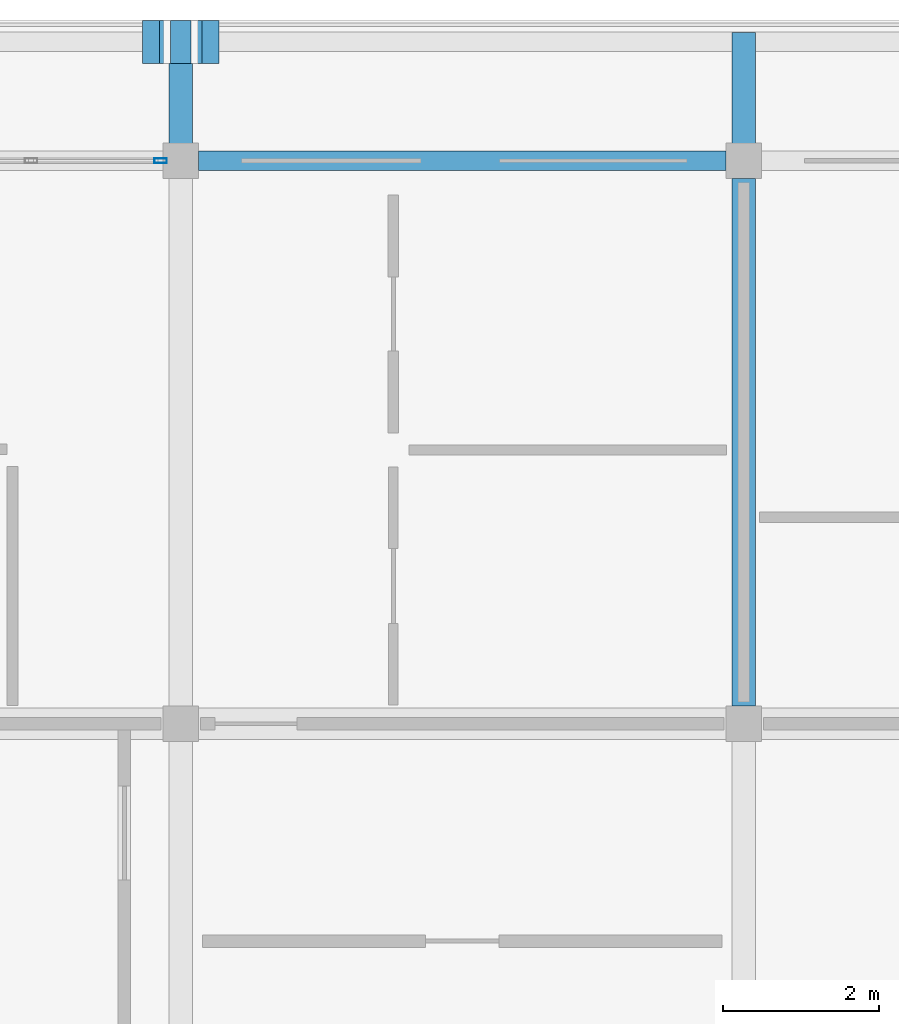
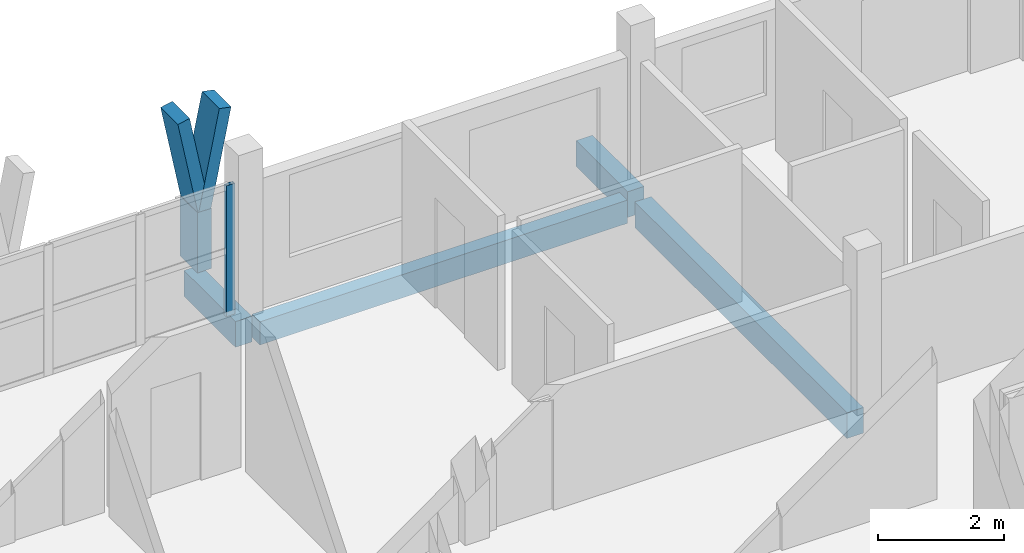
# One storey, part 19 of 45: 4 beams, 4 members, 1 element without a shape of its own.
"""IFC4 building model written with IfcOpenShell, lengths in metres."""

from ifc_helpers import new_model, si_unit, direction, frame, origin, origin_2d, place, context, subcontext, project, spatial, rectangle, hollow_rectangle, extrude, material, material_profile, profile_set, type_object, element, aggregate, save


model = new_model("IFC4")

# Units and contexts
model_context = context("Model", 3, precision=1e-05, world=origin(), true_north=direction((0.0, 1.0)))
body_context = subcontext(model_context, "Body", "Model", "MODEL_VIEW")
ifc_project = project(units=[si_unit("LENGTHUNIT", "METRE"), si_unit("AREAUNIT", "SQUARE_METRE"), si_unit("VOLUMEUNIT", "CUBIC_METRE"), si_unit("PLANEANGLEUNIT", "RADIAN"), si_unit("MASSUNIT", "GRAM", prefix="KILO")], contexts=[model_context])

# Site, building, storey
site_placement = place(None, origin())
site = spatial("IfcSite", under=ifc_project, at=site_placement, CompositionType="ELEMENT")
building_placement = place(site_placement, origin())
building = spatial("IfcBuilding", under=site, at=building_placement, Name="Suanplinth Sawtooth Commons", CompositionType="ELEMENT")
storey_placement = place(building_placement, frame((0.0, 0.0, 38.0)))
storey = spatial("IfcBuildingStorey", under=building, at=storey_placement, Name="L11", CompositionType="ELEMENT", Elevation=38.0)

# Beams
ifc_material_1 = material(Name="Precast concrete C40/50", Category="concrete")
ifc_material_profile_1 = material_profile(ifc_material_1, rectangle(XDim=0.300048828125, YDim=0.5, at=origin_2d()), Name="PC-BM 300x500")
ifc_profile_set_1 = profile_set([ifc_material_profile_1], Name="Precast concrete C40/50")
beam_type_1 = type_object("IfcBeamType", Name="B-07", PredefinedType="BEAM", material=ifc_profile_set_1)
beam_1_placement = place(storey_placement, frame((158.39990234375, 115.425048828125, -0.489990234375), z_axis=(0.0, 1.0, 0.0), x_axis=(-1.0, 0.0, 0.0)))
element("IfcBeam", 1, at=beam_1_placement, inside=storey, type_object=beam_type_1, Name="BMY-L11-B-22-16", PredefinedType="BEAM", context=body_context, shape_type="SweptSolid", body=[
    extrude(rectangle(XDim=0.300048828125, YDim=0.5, at=origin_2d()), origin(), (0.0, 0.0, 1.0), 6.75),
])
for number, where, z_axis, x_axis, name in (
    (2, (151.199951171875, 122.39990234375, -0.429931640625), (0.0, 1.0, 0.0), (-1.0, 0.0, 0.0), "Balcony Outrigger L11-B-N-21"),
    (3, (158.39990234375, 122.39990234375, -0.429931640625), (0.0, 1.0, 0.0), (-1.0, 0.0, 0.0), "Balcony Outrigger L11-B-N-22"),
):
    element("IfcBeam", number, at=place(storey_placement, frame(where, z_axis=z_axis, x_axis=x_axis)), inside=storey, type_object=beam_type_1, Name=name, PredefinedType="BEAM", context=body_context, shape_type="SweptSolid", body=[
        extrude(rectangle(XDim=0.300048828125, YDim=0.5, at=origin_2d()), origin(), (0.0, 0.0, 1.0), 1.64013671875),
    ])
ifc_material_profile_2 = material_profile(ifc_material_1, rectangle(XDim=0.25, YDim=0.449951171875, at=origin_2d()), Name="PC-SP 250x450")
ifc_profile_set_2 = profile_set([ifc_material_profile_2], Name="Precast concrete C40/50")
beam_type_2 = type_object("IfcBeamType", Name="B-09", PredefinedType="SPANDREL", material=ifc_profile_set_2)
beam_2_placement = place(storey_placement, frame((151.425048828125, 122.39990234375, -0.465087890625), z_axis=(1.0, 0.0, 0.0), x_axis=(0.0, 1.0, 0.0)))
element("IfcBeam", 4, at=beam_2_placement, inside=storey, type_object=beam_type_2, Name="BMX-L11-B-21-17", PredefinedType="SPANDREL", context=body_context, shape_type="SweptSolid", body=[
    extrude(rectangle(XDim=0.25, YDim=0.449951171875, at=origin_2d()), origin(), (0.0, 0.0, 1.0), 6.75),
])

# Members
ifc_material_2 = material(Name="Pigmented precast concrete C40/50", Category="concrete")
ifc_material_profile_3 = material_profile(ifc_material_2, rectangle(XDim=0.260009765625, YDim=0.550048828125, at=origin_2d()), Name="PC-FIN 260x550")
ifc_profile_set_3 = profile_set([ifc_material_profile_3], Name="Pigmented precast concrete C40/50")
member_type_1 = type_object("IfcMemberType", Name="M-09", PredefinedType="USERDEFINED", material=ifc_profile_set_3)
member_1_placement = place(storey_placement, frame((151.199951171875, 123.919921875, 0.0), z_axis=(0.0, 0.0, 1.0), x_axis=(1.0, 0.0, 0.0)))
element("IfcMember", 5, at=member_1_placement, inside=storey, type_object=member_type_1, Name="Y-Blade Stem L11-B-N-04", ObjectType="SHADING FIN", PredefinedType="USERDEFINED", context=body_context, shape_type="SweptSolid", body=[
    extrude(rectangle(XDim=0.260009765625, YDim=0.550048828125, at=origin_2d()), origin(), (0.0, 0.0, 1.0), 1.169921875),
])
ifc_material_profile_4 = material_profile(ifc_material_2, rectangle(XDim=0.219970703125, YDim=0.550048828125, at=origin_2d()), Name="PC-FIN 220x550")
ifc_profile_set_4 = profile_set([ifc_material_profile_4], Name="Pigmented precast concrete C40/50")
member_type_2 = type_object("IfcMemberType", Name="M-10", PredefinedType="USERDEFINED", material=ifc_profile_set_4)
member_2_placement = place(storey_placement, frame((151.199951171875, 123.919921875, 1.1298828125), z_axis=(-0.196285728346, 0.0, 0.980546741796), x_axis=(0.980546741796, 0.0, 0.196285728346)))
element("IfcMember", 6, at=member_2_placement, inside=storey, type_object=member_type_2, Name="Y-Blade Arm L L11-B-N-04", ObjectType="SHADING FIN", PredefinedType="USERDEFINED", context=body_context, shape_type="SweptSolid", body=[
    extrude(rectangle(XDim=0.219970703125, YDim=0.550048828125, at=origin_2d()), origin(), (0.0, 0.0, 1.0), 1.937744140625),
])
member_3_placement = place(storey_placement, frame((151.199951171875, 123.919921875, 1.1298828125), z_axis=(0.196406855569, 0.0, 0.980522486782), x_axis=(-0.980522486782, 0.0, 0.196406855569)))
element("IfcMember", 7, at=member_3_placement, inside=storey, type_object=member_type_2, Name="Y-Blade Arm R L11-B-N-04", ObjectType="SHADING FIN", PredefinedType="USERDEFINED", context=body_context, shape_type="SweptSolid", body=[
    extrude(rectangle(XDim=0.219970703125, YDim=0.550048828125, at=origin_2d()), origin(), (0.0, 0.0, 1.0), 1.93798828125),
])

# Curtain wall, member
ifc_material_3 = material(Name="Anodized aluminium and low-E glazing", Category="aluminium")
curtain_wall_type = type_object("IfcCurtainWallType", Name="CW-06", PredefinedType="USERDEFINED", material=ifc_material_3)
curtain_wall_placement = place(storey_placement, origin())
curtain_wall = element("IfcCurtainWall", 8, at=curtain_wall_placement, inside=storey, type_object=curtain_wall_type, Name="Curtain Wall CW-L11-B-LOUNGE-20", ObjectType="CURTAIN WALL", PredefinedType="USERDEFINED")
ifc_material_4 = material(Name="Anodized aluminium 6063-T6", Category="aluminium")
ifc_material_profile_5 = material_profile(ifc_material_4, hollow_rectangle(XDim=0.06494140625, YDim=0.159912109375, WallThickness=0.00390625, at=origin_2d()), Name="ALU-MUL 65x160")
ifc_profile_set_5 = profile_set([ifc_material_profile_5], Name="Anodized aluminium 6063-T6")
member_type_3 = type_object("IfcMemberType", Name="M-13", PredefinedType="MULLION", material=ifc_profile_set_5)
member_4_placement = place(storey_placement, frame((150.9423828125, 122.39990234375, 0.0), z_axis=(0.0, 0.0, 1.0), x_axis=(0.0, 1.0, 0.0)))
member_4 = element("IfcMember", 9, at=member_4_placement, type_object=member_type_3, Name="CW-06 mullion 5", PredefinedType="MULLION", context=body_context, shape_type="SweptSolid", body=[
    extrude(hollow_rectangle(XDim=0.06494140625, YDim=0.159912109375, WallThickness=0.00390625, at=origin_2d()), origin(), (0.0, 0.0, 1.0), 2.5400390625),
])
aggregate(curtain_wall, [member_4])

save(model, "model.ifc")
